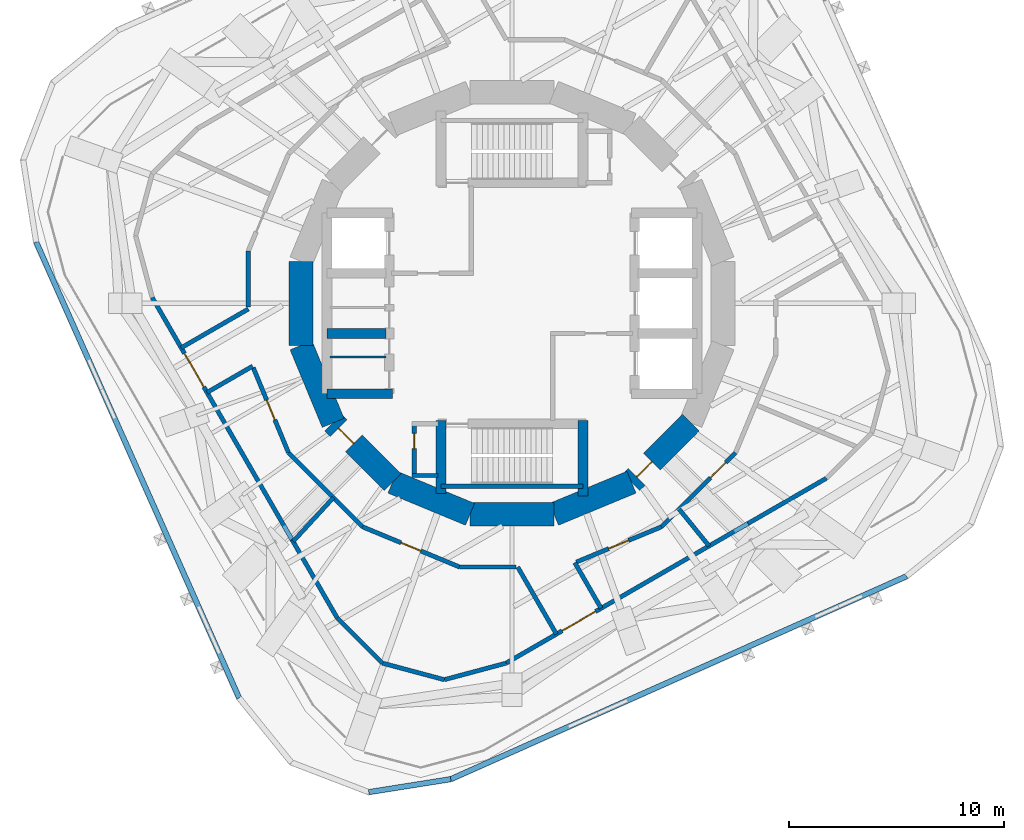
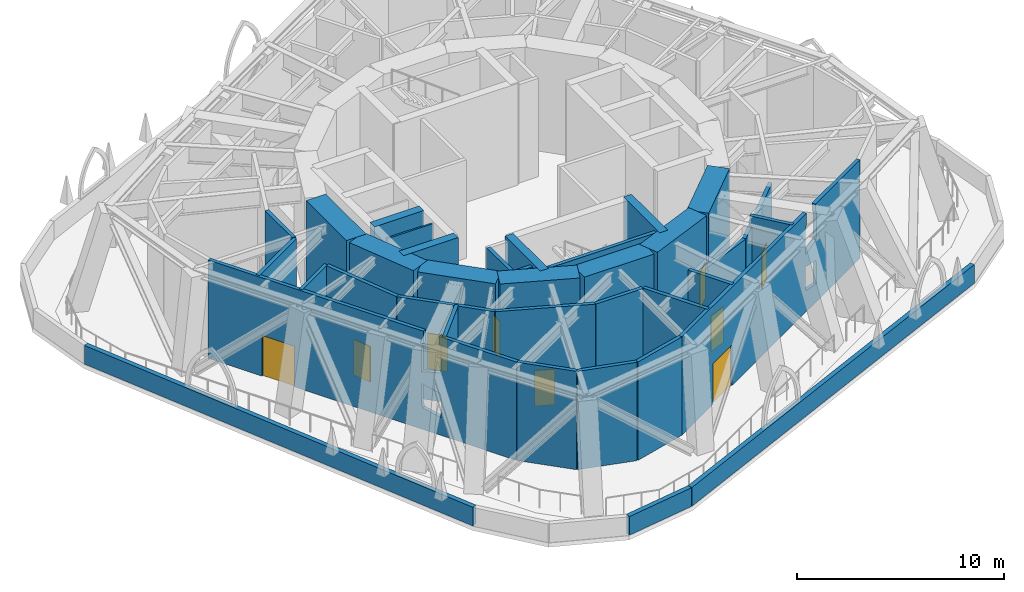
# One storey, part 4 of 10: 36 walls, 9 doors, 17 openings.
"""IFC4 building model written with IfcOpenShell, lengths in metres."""

from ifc_helpers import new_model, si_unit, direction, frame, frame_2d, origin, place, context, subcontext, project, spatial, polyline, rectangle, outline, extrude, material, layer, layer_set, type_object, element, fill, save


model = new_model("IFC4")

# Units and contexts
model_context = context("Model", 3, precision=1e-05, world=origin(), true_north=direction((0.0, 1.0)))
body_context = subcontext(model_context, "Body", "Model", "MODEL_VIEW")
ifc_project = project(units=[si_unit("LENGTHUNIT", "METRE"), si_unit("AREAUNIT", "SQUARE_METRE"), si_unit("VOLUMEUNIT", "CUBIC_METRE"), si_unit("PLANEANGLEUNIT", "RADIAN"), si_unit("MASSUNIT", "GRAM", prefix="KILO")], contexts=[model_context])

# Site, building, storey
site_placement = place(None, origin())
site = spatial("IfcSite", under=ifc_project, at=site_placement, CompositionType="ELEMENT")
building_placement = place(site_placement, origin())
building = spatial("IfcBuilding", under=site, at=building_placement, Name="Nakasero Lantern House", CompositionType="ELEMENT")
storey_placement = place(building_placement, frame((0.0, 0.0, 217.10009765625)))
storey = spatial("IfcBuildingStorey", under=building, at=storey_placement, Name="L53", CompositionType="ELEMENT", Elevation=217.10009765625)

# Walls
ifc_material_1 = material(Name="Concrete C50/60", Category="concrete")
ifc_layer_1 = layer(ifc_material_1, 0.449951171875)
ifc_layer_set_1 = layer_set([ifc_layer_1], Name="Core inner wall 450")
wall_type_1 = type_object("IfcWallType", Name="Core inner wall 450", PredefinedType="SHEAR", material=ifc_layer_set_1)
wall_1_placement = place(storey_placement, frame((-8.60009765625, -4.199951171875, 0.0), z_axis=(0.0, 0.0, 1.0), x_axis=(1.0, 0.0, 0.0)))
element("IfcWall", 1, at=wall_1_placement, inside=storey, type_object=wall_type_1, Name="Core inner wall L53 LWS", PredefinedType="SHEAR", context=body_context, shape_type="SweptSolid", body=[
    extrude(rectangle(XDim=3.050048828125, YDim=0.449951171875, at=frame_2d((1.52490234375, 0.0))), origin(), (0.0, 0.0, 1.0), 6.0),
])
wall_2_placement = place(storey_placement, frame((-8.60009765625, -1.39990234375, 0.0), z_axis=(0.0, 0.0, 1.0), x_axis=(1.0, 0.0, 0.0)))
element("IfcWall", 2, at=wall_2_placement, inside=storey, type_object=wall_type_1, Name="Core inner wall L53 LW1", PredefinedType="SHEAR", context=body_context, shape_type="SweptSolid", body=[
    extrude(rectangle(XDim=2.75, YDim=0.449951171875, at=frame_2d((1.375, 0.0))), origin(), (0.0, 0.0, 1.0), 6.0),
])
wall_3_placement = place(storey_placement, frame((-3.300048828125, -5.449951171875, 0.0), z_axis=(0.0, 0.0, 1.0), x_axis=(0.0, -1.0, 0.0)))
element("IfcWall", 3, at=wall_3_placement, inside=storey, type_object=wall_type_1, Name="Core inner wall L53 SSW", PredefinedType="SHEAR", context=body_context, shape_type="SweptSolid", body=[
    extrude(rectangle(XDim=3.400146484375, YDim=0.449951171875, at=frame_2d((1.7001953125, 0.0))), origin(), (0.0, 0.0, 1.0), 6.0),
])
wall_4_placement = place(storey_placement, frame((3.300048828125, -5.449951171875, 0.0), z_axis=(0.0, 0.0, 1.0), x_axis=(0.0, -1.0, 0.0)))
element("IfcWall", 4, at=wall_4_placement, inside=storey, type_object=wall_type_1, Name="Core inner wall L53 SSE", PredefinedType="SHEAR", context=body_context, shape_type="SweptSolid", body=[
    extrude(rectangle(XDim=3.5, YDim=0.449951171875, at=frame_2d((1.75, 0.0))), origin(), (0.0, 0.0, 1.0), 6.0),
])
ifc_material_2 = material(Name="Blockwork", Category="masonry")
ifc_layer_2 = layer(ifc_material_2, 0.10009765625)
ifc_layer_set_2 = layer_set([ifc_layer_2], Name="Core room wall 100")
wall_type_2 = type_object("IfcWallType", Name="Core room wall 100", PredefinedType="PARTITIONING", material=ifc_layer_set_2)
wall_5_placement = place(storey_placement, frame((-8.449951171875, -2.5, 0.0), z_axis=(0.0, 0.0, 1.0), x_axis=(1.0, 0.0, 0.0)))
element("IfcWall", 5, at=wall_5_placement, inside=storey, type_object=wall_type_2, Name="Core room wall L53 CR-SH-LW1b", PredefinedType="PARTITIONING", context=body_context, shape_type="SweptSolid", body=[
    extrude(rectangle(XDim=2.599853515625, YDim=0.10009765625, at=frame_2d((1.2998046875, 0.0))), origin(), (0.0, 0.0, 1.0), 5.7998046875),
])
ifc_material_3 = material(Name="Concrete C50/60", Category="concrete")
ifc_layer_3 = layer(ifc_material_3, 1.10009765625)
ifc_layer_set_3 = layer_set([ifc_layer_3], Name="Core wall 1100")
wall_type_3 = type_object("IfcWallType", Name="Core wall 1100", PredefinedType="SHEAR", material=ifc_layer_set_3)
for number, where, z_axis, x_axis, name in (
    (6, (-9.807861328125, 1.950927734375, 0.0), (0.0, 0.0, 1.0), (0.0, -1.0, 0.0), "Core wall L53 facet 8"),
    (7, (-9.807861328125, -1.950927734375, 0.0), (0.0, 0.0, 1.0), (0.382690736062, -0.923876507187, 0.0), "Core wall L53 facet 9"),
):
    element("IfcWall", number, at=place(storey_placement, frame(where, z_axis=z_axis, x_axis=x_axis)), inside=storey, type_object=wall_type_3, Name=name, PredefinedType="SHEAR", context=body_context, shape_type="SweptSolid", body=[
        extrude(rectangle(XDim=3.90185546875, YDim=1.10009765625, at=frame_2d((1.950927734375, 0.0))), origin(), (0.0, 0.0, 1.0), 6.0),
    ])

# Wall, opening, door
wall_6_placement = place(storey_placement, frame((-8.314697265625, -5.5556640625, 0.0), z_axis=(0.0, 0.0, 1.0), x_axis=(0.707106781187, -0.707106781187, 0.0)))
wall_6 = element("IfcWall", 8, at=wall_6_placement, inside=storey, type_object=wall_type_3, Name="Core wall L53 facet 10", PredefinedType="SHEAR", context=body_context, shape_type="SweptSolid", body=[
    extrude(rectangle(XDim=3.90185546875, YDim=1.10009765625, at=frame_2d((1.950927734375, 0.0))), origin(), (0.0, 0.0, 1.0), 6.0),
])
opening_1_placement = place(wall_6_placement, frame((0.35009765625, 0.0, 0.0)))
opening_1 = element("IfcOpeningElement", 9, at=opening_1_placement, cuts=wall_6, Name="Opening D05", PredefinedType="OPENING", context=body_context, shape_type="SweptSolid", body=[
    extrude(rectangle(XDim=1.0, YDim=2.10009765625, at=frame_2d((0.5, 1.050048828125))), frame((0.0, 0.570068359375, 0.0), z_axis=(0.0, -1.0, 0.0), x_axis=(1.0, 0.0, 0.0)), (0.0, 0.0, 1.0), 1.14013671875),
])
ifc_material_4 = material(Name="Timber C24", Category="wood")
door_type_1 = type_object("IfcDoorType", Name="Core door FD60S 1000", OperationType="SINGLE_SWING_LEFT", PredefinedType="DOOR", material=ifc_material_4)
door_1_placement = place(opening_1_placement, origin())
door_1 = element("IfcDoor", 10, at=door_1_placement, inside=storey, type_object=door_type_1, Name="Door L53 D-CORE10", OperationType="SINGLE_SWING_LEFT", OverallHeight=2.10009765625, OverallWidth=1.0, PredefinedType="DOOR", context=body_context, shape_type="SweptSolid", body=[
    extrude(rectangle(XDim=1.0, YDim=2.10009765625, at=frame_2d((0.5, 1.050048828125))), frame((0.0, 0.02490234375, 0.0), z_axis=(0.0, -1.0, 0.0), x_axis=(1.0, 0.0, 0.0)), (0.0, 0.0, 1.0), 0.050048828125),
])
fill(opening_1, door_1)

# Walls
for number, where, z_axis, x_axis, name in (
    (11, (-5.5556640625, -8.314697265625, 0.0), (0.0, 0.0, 1.0), (0.923876507187, -0.382690736062, 0.0), "Core wall L53 facet 11"),
    (12, (-1.950927734375, -9.807861328125, 0.0), (0.0, 0.0, 1.0), (1.0, 0.0, 0.0), "Core wall L53 facet 12"),
    (13, (1.950927734375, -9.807861328125, 0.0), (0.0, 0.0, 1.0), (0.923876507187, 0.382690736062, 0.0), "Core wall L53 facet 13"),
):
    element("IfcWall", number, at=place(storey_placement, frame(where, z_axis=z_axis, x_axis=x_axis)), inside=storey, type_object=wall_type_3, Name=name, PredefinedType="SHEAR", context=body_context, shape_type="SweptSolid", body=[
        extrude(rectangle(XDim=3.90185546875, YDim=1.10009765625, at=frame_2d((1.950927734375, 0.0))), origin(), (0.0, 0.0, 1.0), 6.0),
    ])

# Wall, opening, door
wall_7_placement = place(storey_placement, frame((5.5556640625, -8.314697265625, 0.0), z_axis=(0.0, 0.0, 1.0), x_axis=(0.707106781187, 0.707106781187, 0.0)))
wall_7 = element("IfcWall", 14, at=wall_7_placement, inside=storey, type_object=wall_type_3, Name="Core wall L53 facet 14", PredefinedType="SHEAR", context=body_context, shape_type="SweptSolid", body=[
    extrude(rectangle(XDim=3.90185546875, YDim=1.10009765625, at=frame_2d((1.950927734375, 0.0))), origin(), (0.0, 0.0, 1.0), 6.0),
])
opening_2_placement = place(wall_7_placement, frame((0.35009765625, 0.0, 0.0)))
opening_2 = element("IfcOpeningElement", 15, at=opening_2_placement, cuts=wall_7, Name="Opening D05", PredefinedType="OPENING", context=body_context, shape_type="SweptSolid", body=[
    extrude(rectangle(XDim=1.0, YDim=2.10009765625, at=frame_2d((0.5, 1.050048828125))), frame((0.0, 0.570068359375, 0.0), z_axis=(0.0, -1.0, 0.0), x_axis=(1.0, 0.0, 0.0)), (0.0, 0.0, 1.0), 1.14013671875),
])
door_2_placement = place(opening_2_placement, origin())
door_2 = element("IfcDoor", 16, at=door_2_placement, inside=storey, type_object=door_type_1, Name="Door L53 D-CORE14", OperationType="SINGLE_SWING_LEFT", OverallHeight=2.10009765625, OverallWidth=1.0, PredefinedType="DOOR", context=body_context, shape_type="SweptSolid", body=[
    extrude(rectangle(XDim=1.0, YDim=2.10009765625, at=frame_2d((0.5, 1.050048828125))), frame((0.0, 0.02490234375, 0.0), z_axis=(0.0, -1.0, 0.0), x_axis=(1.0, 0.0, 0.0)), (0.0, 0.0, 1.0), 0.050048828125),
])
fill(opening_2, door_2)

ifc_material_5 = material(Name="Blockwork", Category="masonry")
ifc_layer_4 = layer(ifc_material_5, 0.199951171875)
ifc_layer_set_4 = layer_set([ifc_layer_4], Name="Corridor wall 200")
wall_type_4 = type_object("IfcWallType", Name="Corridor wall 200", PredefinedType="PARTITIONING", material=ifc_layer_set_4)
wall_8_placement = place(storey_placement, frame((10.3916015625, -6.943603515625, 0.0), z_axis=(0.0, 0.0, 1.0), x_axis=(-0.707106781187, -0.707106781187, 0.0)))
wall_8 = element("IfcWall", 17, at=wall_8_placement, inside=storey, type_object=wall_type_4, Name="Corridor wall L53 TC02", PredefinedType="PARTITIONING", context=body_context, shape_type="SweptSolid", body=[
    extrude(rectangle(XDim=4.876220703125, YDim=0.199951171875, at=frame_2d((2.43798828125, 0.0))), origin(), (0.0, 0.0, 1.0), 5.197265625),
])
opening_3_placement = place(wall_8_placement, frame((0.64990234375, 0.0, 0.0)))
opening_3 = element("IfcOpeningElement", 18, at=opening_3_placement, cuts=wall_8, Name="Opening D13", PredefinedType="OPENING", context=body_context, shape_type="SweptSolid", body=[
    extrude(rectangle(XDim=1.0, YDim=2.10009765625, at=frame_2d((0.5, 1.050048828125))), frame((0.0, 0.119873046875, 0.0), z_axis=(0.0, -1.0, 0.0), x_axis=(1.0, 0.0, 0.0)), (0.0, 0.0, 1.0), 0.239990234375),
])
ifc_material_6 = material(Name="Steel S355", Category="steel")
door_type_2 = type_object("IfcDoorType", Name="Plant room door FD60 1000", OperationType="SINGLE_SWING_LEFT", PredefinedType="DOOR", material=ifc_material_6)
door_3_placement = place(opening_3_placement, origin())
door_3 = element("IfcDoor", 19, at=door_3_placement, inside=storey, type_object=door_type_2, Name="Door L53 TDR31", OperationType="SINGLE_SWING_LEFT", OverallHeight=2.10009765625, OverallWidth=1.0, PredefinedType="DOOR", context=body_context, shape_type="SweptSolid", body=[
    extrude(rectangle(XDim=1.0, YDim=2.10009765625, at=frame_2d((0.5, 1.050048828125))), frame((0.0, 0.02490234375, 0.0), z_axis=(0.0, -1.0, 0.0), x_axis=(1.0, 0.0, 0.0)), (0.0, 0.0, 1.0), 0.050048828125),
])
fill(opening_3, door_3)

wall_9_placement = place(storey_placement, frame((6.943603515625, -10.3916015625, 0.0), z_axis=(0.0, 0.0, 1.0), x_axis=(-0.923866626609, -0.382714588482, 0.0)))
wall_9 = element("IfcWall", 20, at=wall_9_placement, inside=storey, type_object=wall_type_4, Name="Corridor wall L53 TC03", PredefinedType="PARTITIONING", context=body_context, shape_type="SweptSolid", body=[
    extrude(rectangle(XDim=4.279052734375, YDim=0.199951171875, at=frame_2d((2.1396484375, 0.0))), origin(), (0.0, 0.0, 1.0), 5.197265625),
])
opening_4_placement = place(wall_9_placement, frame((1.64990234375, 0.0, 0.0)))
opening_4 = element("IfcOpeningElement", 21, at=opening_4_placement, cuts=wall_9, Name="Opening D13", PredefinedType="OPENING", context=body_context, shape_type="SweptSolid", body=[
    extrude(rectangle(XDim=1.0, YDim=2.10009765625, at=frame_2d((0.5, 1.050048828125))), frame((0.0, 0.119873046875, 0.0), z_axis=(0.0, -1.0, 0.0), x_axis=(1.0, 0.0, 0.0)), (0.0, 0.0, 1.0), 0.239990234375),
])
door_4_placement = place(opening_4_placement, origin())
door_4 = element("IfcDoor", 22, at=door_4_placement, inside=storey, type_object=door_type_2, Name="Door L53 TDR30", OperationType="SINGLE_SWING_RIGHT", OverallHeight=2.10009765625, OverallWidth=1.0, PredefinedType="DOOR", context=body_context, shape_type="SweptSolid", body=[
    extrude(rectangle(XDim=1.0, YDim=2.10009765625, at=frame_2d((0.5, 1.050048828125))), frame((0.0, 0.02490234375, 0.0), z_axis=(0.0, -1.0, 0.0), x_axis=(1.0, 0.0, 0.0)), (0.0, 0.0, 1.0), 0.050048828125),
])
fill(opening_4, door_4)

# Wall
wall_10_placement = place(storey_placement, frame((0.177734375, -12.2578125, 0.0), z_axis=(0.0, 0.0, 1.0), x_axis=(-1.0, 0.0, 0.0)))
element("IfcWall", 23, at=wall_10_placement, inside=storey, type_object=wall_type_4, Name="Corridor wall L53 TC04", PredefinedType="PARTITIONING", context=body_context, shape_type="SweptSolid", body=[
    extrude(rectangle(XDim=2.615966796875, YDim=0.199951171875, at=frame_2d((1.30810546875, 0.0))), origin(), (0.0, 0.0, 1.0), 5.7998046875),
])

# Wall, opening, door
wall_11_placement = place(storey_placement, frame((-2.438232421875, -12.2578125, 0.0), z_axis=(0.0, 0.0, 1.0), x_axis=(-0.923877710793, 0.382687830351, 0.0)))
wall_11 = element("IfcWall", 24, at=wall_11_placement, inside=storey, type_object=wall_type_4, Name="Corridor wall L53 TC05", PredefinedType="PARTITIONING", context=body_context, shape_type="SweptSolid", body=[
    extrude(rectangle(XDim=4.876708984375, YDim=0.199951171875, at=frame_2d((2.4384765625, 0.0))), origin(), (0.0, 0.0, 1.0), 5.7998046875),
])
opening_5_placement = place(wall_11_placement, frame((1.949951171875, 0.0, 0.0)))
opening_5 = element("IfcOpeningElement", 25, at=opening_5_placement, cuts=wall_11, Name="Opening D13", PredefinedType="OPENING", context=body_context, shape_type="SweptSolid", body=[
    extrude(rectangle(XDim=1.0, YDim=2.10009765625, at=frame_2d((0.5, 1.050048828125))), frame((0.0, 0.119873046875, 0.0), z_axis=(0.0, -1.0, 0.0), x_axis=(1.0, 0.0, 0.0)), (0.0, 0.0, 1.0), 0.239990234375),
])
door_5_placement = place(opening_5_placement, origin())
door_5 = element("IfcDoor", 26, at=door_5_placement, inside=storey, type_object=door_type_2, Name="Door L53 TDR21", OperationType="SINGLE_SWING_RIGHT", OverallHeight=2.10009765625, OverallWidth=1.0, PredefinedType="DOOR", context=body_context, shape_type="SweptSolid", body=[
    extrude(rectangle(XDim=1.0, YDim=2.10009765625, at=frame_2d((0.5, 1.050048828125))), frame((0.0, 0.02490234375, 0.0), z_axis=(0.0, -1.0, 0.0), x_axis=(1.0, 0.0, 0.0)), (0.0, 0.0, 1.0), 0.050048828125),
])
fill(opening_5, door_5)

# Wall
wall_12_placement = place(storey_placement, frame((-6.943603515625, -10.3916015625, 0.0), z_axis=(0.0, 0.0, 1.0), x_axis=(-0.707106781187, 0.707106781187, 0.0)))
element("IfcWall", 27, at=wall_12_placement, inside=storey, type_object=wall_type_4, Name="Corridor wall L53 TC06", PredefinedType="PARTITIONING", context=body_context, shape_type="SweptSolid", body=[
    extrude(rectangle(XDim=4.876220703125, YDim=0.199951171875, at=frame_2d((2.43798828125, 0.0))), origin(), (0.0, 0.0, 1.0), 5.7998046875),
])

# Wall, opening, door
wall_13_placement = place(storey_placement, frame((-10.3916015625, -6.943603515625, 0.0), z_axis=(0.0, 0.0, 1.0), x_axis=(-0.382714588482, 0.923866626609, 0.0)))
wall_13 = element("IfcWall", 28, at=wall_13_placement, inside=storey, type_object=wall_type_4, Name="Corridor wall L53 TC07", PredefinedType="PARTITIONING", context=body_context, shape_type="SweptSolid", body=[
    extrude(rectangle(XDim=4.279052734375, YDim=0.199951171875, at=frame_2d((2.1396484375, 0.0))), origin(), (0.0, 0.0, 1.0), 5.7998046875),
])
opening_6_placement = place(wall_13_placement, frame((1.64990234375, 0.0, 0.0)))
opening_6 = element("IfcOpeningElement", 29, at=opening_6_placement, cuts=wall_13, Name="Opening D13", PredefinedType="OPENING", context=body_context, shape_type="SweptSolid", body=[
    extrude(rectangle(XDim=1.0, YDim=2.10009765625, at=frame_2d((0.5, 1.050048828125))), frame((0.0, 0.119873046875, 0.0), z_axis=(0.0, -1.0, 0.0), x_axis=(1.0, 0.0, 0.0)), (0.0, 0.0, 1.0), 0.239990234375),
])
door_6_placement = place(opening_6_placement, origin())
door_6 = element("IfcDoor", 30, at=door_6_placement, inside=storey, type_object=door_type_2, Name="Door L53 TDR20", OperationType="SINGLE_SWING_RIGHT", OverallHeight=2.10009765625, OverallWidth=1.0, PredefinedType="DOOR", context=body_context, shape_type="SweptSolid", body=[
    extrude(rectangle(XDim=1.0, YDim=2.10009765625, at=frame_2d((0.5, 1.050048828125))), frame((0.0, 0.02490234375, 0.0), z_axis=(0.0, -1.0, 0.0), x_axis=(1.0, 0.0, 0.0)), (0.0, 0.0, 1.0), 0.050048828125),
])
fill(opening_6, door_6)

# Wall
wall_14_placement = place(storey_placement, frame((-12.2578125, -0.177734375, 0.0), z_axis=(0.0, 0.0, 1.0), x_axis=(0.0, 1.0, 0.0)))
element("IfcWall", 31, at=wall_14_placement, inside=storey, type_object=wall_type_4, Name="Corridor wall L53 TC08", PredefinedType="PARTITIONING", context=body_context, shape_type="SweptSolid", body=[
    extrude(rectangle(XDim=2.615966796875, YDim=0.199951171875, at=frame_2d((1.30810546875, 0.0))), origin(), (0.0, 0.0, 1.0), 5.7998046875),
])

# Wall, opening, door
ifc_material_7 = material(Name="Blockwork", Category="masonry")
ifc_layer_5 = layer(ifc_material_7, 0.199951171875)
ifc_layer_set_5 = layer_set([ifc_layer_5], Name="Fire lobby wall 200")
wall_type_5 = type_object("IfcWallType", Name="Fire lobby wall 200", PredefinedType="PARTITIONING", material=ifc_layer_set_5)
wall_15_placement = place(storey_placement, frame((-4.550048828125, -5.60009765625, 0.0), z_axis=(0.0, 0.0, 1.0), x_axis=(0.0, -1.0, 0.0)))
wall_15 = element("IfcWall", 32, at=wall_15_placement, inside=storey, type_object=wall_type_5, Name="Fire lobby wall L53 W-RS2W", PredefinedType="PARTITIONING", context=body_context, shape_type="SweptSolid", body=[
    extrude(rectangle(XDim=2.39990234375, YDim=0.199951171875, at=frame_2d((1.199951171875, 0.0))), origin(), (0.0, 0.0, 1.0), 5.7998046875),
])
opening_7_placement = place(wall_15_placement, frame((0.449951171875, 0.0, 0.0)))
opening_7 = element("IfcOpeningElement", 33, at=opening_7_placement, cuts=wall_15, Name="Opening D06", PredefinedType="OPENING", context=body_context, shape_type="SweptSolid", body=[
    extrude(rectangle(XDim=0.699951171875, YDim=2.10009765625, at=frame_2d((0.35009765625, 1.050048828125))), frame((0.0, 0.119873046875, 0.0), z_axis=(0.0, -1.0, 0.0), x_axis=(1.0, 0.0, 0.0)), (0.0, 0.0, 1.0), 0.239990234375),
])
ifc_material_8 = material(Name="Steel S355", Category="steel")
door_type_3 = type_object("IfcDoorType", Name="Riser door FD60 700", OperationType="SINGLE_SWING_LEFT", PredefinedType="DOOR", material=ifc_material_8)
door_7_placement = place(opening_7_placement, origin())
door_7 = element("IfcDoor", 34, at=door_7_placement, inside=storey, type_object=door_type_3, Name="Door L53 D-RS2", OperationType="SINGLE_SWING_LEFT", OverallHeight=2.10009765625, OverallWidth=0.699951171875, PredefinedType="DOOR", context=body_context, shape_type="SweptSolid", body=[
    extrude(rectangle(XDim=0.699951171875, YDim=2.10009765625, at=frame_2d((0.35009765625, 1.050048828125))), frame((0.0, 0.02490234375, 0.0), z_axis=(0.0, -1.0, 0.0), x_axis=(1.0, 0.0, 0.0)), (0.0, 0.0, 1.0), 0.050048828125),
])
fill(opening_7, door_7)

# Walls
wall_16_placement = place(storey_placement, frame((-3.449951171875, -8.0, 0.0), z_axis=(0.0, 0.0, 1.0), x_axis=(-1.0, 0.0, 0.0)))
element("IfcWall", 35, at=wall_16_placement, inside=storey, type_object=wall_type_5, Name="Fire lobby wall L53 W-RS2S", PredefinedType="PARTITIONING", context=body_context, shape_type="SweptSolid", body=[
    extrude(rectangle(XDim=1.199951171875, YDim=0.199951171875, at=frame_2d((0.60009765625, 0.0))), origin(), (0.0, 0.0, 1.0), 5.7998046875),
])
wall_17_placement = place(storey_placement, frame((-3.300048828125, -8.5, 0.0), z_axis=(0.0, 0.0, 1.0), x_axis=(1.0, 0.0, 0.0)))
element("IfcWall", 36, at=wall_17_placement, inside=storey, type_object=wall_type_5, Name="Fire lobby wall L53 W-STS", PredefinedType="PARTITIONING", context=body_context, shape_type="SweptSolid", body=[
    extrude(rectangle(XDim=6.60009765625, YDim=0.199951171875, at=frame_2d((3.300048828125, 0.0))), origin(), (0.0, 0.0, 1.0), 5.7998046875),
])
wall_18_placement = place(storey_placement, frame((-8.302734375, -9.032470703125, 0.0), z_axis=(0.0, 0.0, 1.0), x_axis=(-0.67673763203, -0.736224271126, 0.0)))
element("IfcWall", 37, at=wall_18_placement, inside=storey, type_object=wall_type_5, Name="Fire lobby wall L53 TD20", PredefinedType="PARTITIONING", context=body_context, shape_type="SweptSolid", body=[
    extrude(rectangle(XDim=2.770263671875, YDim=0.199951171875, at=frame_2d((1.38525390625, 0.0))), origin(), (0.0, 0.0, 1.0), 5.7998046875),
])
wall_19_placement = place(storey_placement, frame((7.768798828125, -9.56640625, 0.0), z_axis=(0.0, 0.0, 1.0), x_axis=(0.630367852818, -0.776296573568, 0.0)))
element("IfcWall", 38, at=wall_19_placement, inside=storey, type_object=wall_type_5, Name="Fire lobby wall L53 TD30", PredefinedType="PARTITIONING", context=body_context, shape_type="SweptSolid", body=[
    extrude(rectangle(XDim=2.20849609375, YDim=0.199951171875, at=frame_2d((1.104248046875, 0.0))), origin(), (0.0, 0.0, 1.0), 5.7998046875),
])
wall_20_placement = place(storey_placement, frame((-12.05810546875, -2.92041015625, 0.0), z_axis=(0.0, 0.0, 1.0), x_axis=(-0.866067636663, -0.499926843373, 0.0)))
element("IfcWall", 39, at=wall_20_placement, inside=storey, type_object=wall_type_5, Name="Fire lobby wall L53 TP2L", PredefinedType="PARTITIONING", context=body_context, shape_type="SweptSolid", body=[
    extrude(rectangle(XDim=2.447021484375, YDim=0.199951171875, at=frame_2d((1.2236328125, 0.0))), origin(), (0.0, 0.0, 1.0), 5.7998046875),
])
wall_21_placement = place(storey_placement, frame((-12.2578125, -0.264404296875, 0.0), z_axis=(0.0, 0.0, 1.0), x_axis=(-0.866036606748, -0.499980595397, 0.0)))
element("IfcWall", 40, at=wall_21_placement, inside=storey, type_object=wall_type_5, Name="Fire lobby wall L53 TP2R", PredefinedType="PARTITIONING", context=body_context, shape_type="SweptSolid", body=[
    extrude(rectangle(XDim=3.602294921875, YDim=0.199951171875, at=frame_2d((1.80126953125, 0.0))), origin(), (0.0, 0.0, 1.0), 5.7998046875),
])
wall_22_placement = place(storey_placement, frame((2.92041015625, -12.05810546875, 0.0), z_axis=(0.0, 0.0, 1.0), x_axis=(0.499926843373, -0.866067636663, 0.0)))
element("IfcWall", 41, at=wall_22_placement, inside=storey, type_object=wall_type_5, Name="Fire lobby wall L53 TP3L", PredefinedType="PARTITIONING", context=body_context, shape_type="SweptSolid", body=[
    extrude(rectangle(XDim=2.447021484375, YDim=0.199951171875, at=frame_2d((1.2236328125, 0.0))), origin(), (0.0, 0.0, 1.0), 5.7998046875),
])
wall_23_placement = place(storey_placement, frame((0.264404296875, -12.2578125, 0.0), z_axis=(0.0, 0.0, 1.0), x_axis=(0.499980595397, -0.866036606748, 0.0)))
element("IfcWall", 42, at=wall_23_placement, inside=storey, type_object=wall_type_5, Name="Fire lobby wall L53 TP3R", PredefinedType="PARTITIONING", context=body_context, shape_type="SweptSolid", body=[
    extrude(rectangle(XDim=3.602294921875, YDim=0.199951171875, at=frame_2d((1.80126953125, 0.0))), origin(), (0.0, 0.0, 1.0), 5.7998046875),
])
ifc_material_9 = material(Name="Concrete C35/45", Category="concrete")
ifc_layer_6 = layer(ifc_material_9, 0.25)
ifc_layer_set_6 = layer_set([ifc_layer_6], Name="Parapet 250")
wall_type_6 = type_object("IfcWallType", Name="Parapet 250", PredefinedType="SOLIDWALL", material=ifc_layer_set_6)
wall_24_placement = place(storey_placement, frame((-22.12109375, 2.848876953125, 0.0), z_axis=(0.0, 0.0, 1.0), x_axis=(0.406734951338, -0.913546210851, 0.0)))
element("IfcWall", 43, at=wall_24_placement, inside=storey, type_object=wall_type_6, Name="Parapet L53 PP2S", PredefinedType="SOLIDWALL", context=body_context, shape_type="SweptSolid", body=[
    extrude(rectangle(XDim=23.199951171875, YDim=0.25, at=frame_2d((11.60009765625, 0.0))), origin(), (0.0, 0.0, 1.0), 1.099853515625),
])
wall_25_placement = place(storey_placement, frame((-6.65771484375, -22.724365234375, 0.0), z_axis=(0.0, 0.0, 1.0), x_axis=(0.987687906802, 0.156437203878, 0.0)))
element("IfcWall", 44, at=wall_25_placement, inside=storey, type_object=wall_type_6, Name="Parapet L53 PP2C3", PredefinedType="SOLIDWALL", context=body_context, shape_type="SweptSolid", body=[
    extrude(rectangle(XDim=3.856201171875, YDim=0.25, at=frame_2d((1.92822265625, 0.0))), origin(), (0.0, 0.0, 1.0), 1.099853515625),
])
wall_26_placement = place(storey_placement, frame((-2.848876953125, -22.12109375, 0.0), z_axis=(0.0, 0.0, 1.0), x_axis=(0.913546210851, 0.406734951338, 0.0)))
element("IfcWall", 45, at=wall_26_placement, inside=storey, type_object=wall_type_6, Name="Parapet L53 PP3S", PredefinedType="SOLIDWALL", context=body_context, shape_type="SweptSolid", body=[
    extrude(rectangle(XDim=23.199951171875, YDim=0.25, at=frame_2d((11.60009765625, 0.0))), origin(), (0.0, 0.0, 1.0), 1.099853515625),
])

# Wall, openings, door
ifc_material_10 = material(Name="Aluminium louvre on blockwork", Category="masonry")
ifc_layer_7 = layer(ifc_material_10, 0.199951171875)
ifc_layer_set_7 = layer_set([ifc_layer_7], Name="Plant enclosure wall 200")
wall_type_7 = type_object("IfcWallType", Name="Plant enclosure wall 200", PredefinedType="SOLIDWALL", material=ifc_layer_set_7)
wall_27_placement = place(storey_placement, frame((-16.7275390625, 0.272705078125, 0.0), z_axis=(0.0, 0.0, 1.0), x_axis=(0.500007509209, -0.866021068297, 0.0)))
wall_27 = element("IfcWall", 46, at=wall_27_placement, inside=storey, type_object=wall_type_7, Name="Plant enclosure wall L53 2", PredefinedType="SOLIDWALL", context=body_context, shape_type="SweptSolid", body=[
    extrude(rectangle(XDim=17.199951171875, YDim=0.199951171875, at=frame_2d((8.60009765625, 0.0))), origin(), (0.0, 0.0, 1.0), 5.7998046875),
])
opening_8_placement = place(wall_27_placement, frame((3.0, 0.0, 0.0)))
opening_8 = element("IfcOpeningElement", 47, at=opening_8_placement, cuts=wall_27, Name="Opening D11", PredefinedType="OPENING", context=body_context, shape_type="SweptSolid", body=[
    extrude(rectangle(XDim=1.800048828125, YDim=2.39990234375, at=frame_2d((0.89990234375, 1.199951171875))), frame((0.0, 0.119873046875, 0.0), z_axis=(0.0, -1.0, 0.0), x_axis=(1.0, 0.0, 0.0)), (0.0, 0.0, 1.0), 0.239990234375),
])
opening_9_placement = place(wall_27_placement, origin())
element("IfcOpeningElement", 48, at=opening_9_placement, cuts=wall_27, Name="Penetration L53/EN2S/PEN0", PredefinedType="OPENING", context=body_context, shape_type="SweptSolid", body=[
    extrude(outline(polyline([(11.90234375, 1.875732421875), (11.90234375, 1.4609375), (11.967529296875, 1.260986328125), (12.98779296875, 1.050537109375), (12.98779296875, 1.875732421875), (11.90234375, 1.875732421875)])), frame((0.0, 0.119873046875, 0.0), z_axis=(0.0, -1.0, 0.0), x_axis=(1.0, 0.0, 0.0)), (0.0, 0.0, 1.0), 0.239990234375),
])
opening_10_placement = place(wall_27_placement, origin())
element("IfcOpeningElement", 49, at=opening_10_placement, cuts=wall_27, Name="Penetration L53/EN2S/PEN1", PredefinedType="OPENING", context=body_context, shape_type="SweptSolid", body=[
    extrude(outline(polyline([(11.90234375, 2.68115234375), (11.90234375, 1.855712890625), (12.98779296875, 1.855712890625), (12.98779296875, 2.2705078125), (12.922607421875, 2.470703125), (11.90234375, 2.68115234375)])), frame((0.0, 0.119873046875, 0.0), z_axis=(0.0, -1.0, 0.0), x_axis=(1.0, 0.0, 0.0)), (0.0, 0.0, 1.0), 0.239990234375),
])
opening_11_placement = place(wall_27_placement, origin())
element("IfcOpeningElement", 50, at=opening_11_placement, cuts=wall_27, Name="Penetration L53/EN2S/PEN2", PredefinedType="OPENING", context=body_context, shape_type="SweptSolid", body=[
    extrude(outline(polyline([(12.98779296875, 3.934814453125), (12.98779296875, 4.599609375), (11.90234375, 4.599609375), (11.90234375, 3.37939453125), (12.926025390625, 3.671875), (12.98779296875, 3.934814453125)])), frame((0.0, 0.119873046875, 0.0), z_axis=(0.0, -1.0, 0.0), x_axis=(1.0, 0.0, 0.0)), (0.0, 0.0, 1.0), 0.239990234375),
])
opening_12_placement = place(wall_27_placement, origin())
element("IfcOpeningElement", 51, at=opening_12_placement, cuts=wall_27, Name="Penetration L53/EN2S/PEN3", PredefinedType="OPENING", context=body_context, shape_type="SweptSolid", body=[
    extrude(outline(polyline([(12.005859375, 5.800048828125), (12.005859375, 5.0673828125), (11.964111328125, 5.05517578125), (11.90234375, 4.79248046875), (11.90234375, 4.57958984375), (12.98779296875, 4.57958984375), (12.98779296875, 5.347900390625), (12.88427734375, 5.318359375), (12.88427734375, 5.800048828125), (12.005859375, 5.800048828125)])), frame((0.0, 0.119873046875, 0.0), z_axis=(0.0, -1.0, 0.0), x_axis=(1.0, 0.0, 0.0)), (0.0, 0.0, 1.0), 0.239990234375),
])
ifc_material_11 = material(Name="Steel S355", Category="steel")
door_type_4 = type_object("IfcDoorType", Name="Plant room doors 1800x2400", OperationType="DOUBLE_DOOR_SINGLE_SWING", PredefinedType="DOOR", material=ifc_material_11)
door_8_placement = place(opening_8_placement, origin())
door_8 = element("IfcDoor", 52, at=door_8_placement, inside=storey, type_object=door_type_4, Name="Refuge door L53 2", OperationType="DOUBLE_DOOR_SINGLE_SWING", OverallHeight=2.39990234375, OverallWidth=1.800048828125, PredefinedType="DOOR", context=body_context, shape_type="SweptSolid", body=[
    extrude(rectangle(XDim=1.800048828125, YDim=2.39990234375, at=frame_2d((0.89990234375, 1.199951171875))), frame((0.0, 0.02490234375, 0.0), z_axis=(0.0, -1.0, 0.0), x_axis=(1.0, 0.0, 0.0)), (0.0, 0.0, 1.0), 0.050048828125),
])
fill(opening_8, door_8)

# Walls
wall_28_placement = place(storey_placement, frame((-8.12744140625, -14.622802734375, 0.0), z_axis=(0.0, 0.0, 1.0), x_axis=(0.707106781187, -0.707106781187, 0.0)))
element("IfcWall", 53, at=wall_28_placement, inside=storey, type_object=wall_type_7, Name="Plant enclosure wall L53 EN2C1", PredefinedType="SOLIDWALL", context=body_context, shape_type="SweptSolid", body=[
    extrude(rectangle(XDim=2.9765625, YDim=0.199951171875, at=frame_2d((1.48828125, 0.0))), origin(), (0.0, 0.0, 1.0), 5.7998046875),
])
for number, where, z_axis, x_axis, name in (
    (54, (-6.022705078125, -16.7275390625, 0.0), (0.0, 0.0, 1.0), (0.965933406887, -0.25879075227, 0.0), "Plant enclosure wall L53 EN2C2"),
    (55, (-3.147705078125, -17.497802734375, 0.0), (0.0, 0.0, 1.0), (0.965933406887, 0.25879075227, 0.0), "Plant enclosure wall L53 EN2C3"),
):
    element("IfcWall", number, at=place(storey_placement, frame(where, z_axis=z_axis, x_axis=x_axis)), inside=storey, type_object=wall_type_7, Name=name, PredefinedType="SOLIDWALL", context=body_context, shape_type="SweptSolid", body=[
        extrude(rectangle(XDim=2.976318359375, YDim=0.199951171875, at=frame_2d((1.48828125, 0.0))), origin(), (0.0, 0.0, 1.0), 5.7998046875),
    ])

# Wall, openings, door
wall_29_placement = place(storey_placement, frame((-0.272705078125, -16.7275390625, 0.0), z_axis=(0.0, 0.0, 1.0), x_axis=(0.866021068297, 0.500007509209, 0.0)))
wall_29 = element("IfcWall", 56, at=wall_29_placement, inside=storey, type_object=wall_type_7, Name="Plant enclosure wall L53 3", PredefinedType="SOLIDWALL", context=body_context, shape_type="SweptSolid", body=[
    extrude(rectangle(XDim=17.199951171875, YDim=0.199951171875, at=frame_2d((8.60009765625, 0.0))), origin(), (0.0, 0.0, 1.0), 5.7998046875),
])
opening_13_placement = place(wall_29_placement, frame((3.0, 0.0, 0.0)))
opening_13 = element("IfcOpeningElement", 57, at=opening_13_placement, cuts=wall_29, Name="Opening D11", PredefinedType="OPENING", context=body_context, shape_type="SweptSolid", body=[
    extrude(rectangle(XDim=1.800048828125, YDim=2.39990234375, at=frame_2d((0.89990234375, 1.199951171875))), frame((0.0, 0.119873046875, 0.0), z_axis=(0.0, -1.0, 0.0), x_axis=(1.0, 0.0, 0.0)), (0.0, 0.0, 1.0), 0.239990234375),
])
opening_14_placement = place(wall_29_placement, origin())
element("IfcOpeningElement", 58, at=opening_14_placement, cuts=wall_29, Name="Penetration L53/EN3S/PEN0", PredefinedType="OPENING", context=body_context, shape_type="SweptSolid", body=[
    extrude(outline(polyline([(11.90234375, 1.875732421875), (11.90234375, 1.4609375), (11.967529296875, 1.260986328125), (12.98779296875, 1.050537109375), (12.98779296875, 1.875732421875), (11.90234375, 1.875732421875)])), frame((0.0, 0.119873046875, 0.0), z_axis=(0.0, -1.0, 0.0), x_axis=(1.0, 0.0, 0.0)), (0.0, 0.0, 1.0), 0.239990234375),
])
opening_15_placement = place(wall_29_placement, origin())
element("IfcOpeningElement", 59, at=opening_15_placement, cuts=wall_29, Name="Penetration L53/EN3S/PEN1", PredefinedType="OPENING", context=body_context, shape_type="SweptSolid", body=[
    extrude(outline(polyline([(11.90234375, 2.68115234375), (11.90234375, 1.855712890625), (12.98779296875, 1.855712890625), (12.98779296875, 2.2705078125), (12.922607421875, 2.470703125), (11.90234375, 2.68115234375)])), frame((0.0, 0.119873046875, 0.0), z_axis=(0.0, -1.0, 0.0), x_axis=(1.0, 0.0, 0.0)), (0.0, 0.0, 1.0), 0.239990234375),
])
opening_16_placement = place(wall_29_placement, origin())
element("IfcOpeningElement", 60, at=opening_16_placement, cuts=wall_29, Name="Penetration L53/EN3S/PEN2", PredefinedType="OPENING", context=body_context, shape_type="SweptSolid", body=[
    extrude(outline(polyline([(12.98779296875, 3.934814453125), (12.98779296875, 4.599609375), (11.90234375, 4.599609375), (11.90234375, 3.37939453125), (12.926025390625, 3.671875), (12.98779296875, 3.934814453125)])), frame((0.0, 0.119873046875, 0.0), z_axis=(0.0, -1.0, 0.0), x_axis=(1.0, 0.0, 0.0)), (0.0, 0.0, 1.0), 0.239990234375),
])
opening_17_placement = place(wall_29_placement, origin())
element("IfcOpeningElement", 61, at=opening_17_placement, cuts=wall_29, Name="Penetration L53/EN3S/PEN3", PredefinedType="OPENING", context=body_context, shape_type="SweptSolid", body=[
    extrude(outline(polyline([(12.005859375, 5.800048828125), (12.005859375, 5.0673828125), (11.964111328125, 5.05517578125), (11.90234375, 4.79248046875), (11.90234375, 4.57958984375), (12.98779296875, 4.57958984375), (12.98779296875, 5.347900390625), (12.88427734375, 5.318359375), (12.88427734375, 5.800048828125), (12.005859375, 5.800048828125)])), frame((0.0, 0.119873046875, 0.0), z_axis=(0.0, -1.0, 0.0), x_axis=(1.0, 0.0, 0.0)), (0.0, 0.0, 1.0), 0.239990234375),
])
door_9_placement = place(opening_13_placement, origin())
door_9 = element("IfcDoor", 62, at=door_9_placement, inside=storey, type_object=door_type_4, Name="Refuge door L53 3", OperationType="DOUBLE_DOOR_SINGLE_SWING", OverallHeight=2.39990234375, OverallWidth=1.800048828125, PredefinedType="DOOR", context=body_context, shape_type="SweptSolid", body=[
    extrude(rectangle(XDim=1.800048828125, YDim=2.39990234375, at=frame_2d((0.89990234375, 1.199951171875))), frame((0.0, 0.02490234375, 0.0), z_axis=(0.0, -1.0, 0.0), x_axis=(1.0, 0.0, 0.0)), (0.0, 0.0, 1.0), 0.050048828125),
])
fill(opening_13, door_9)

save(model, "model.ifc")
